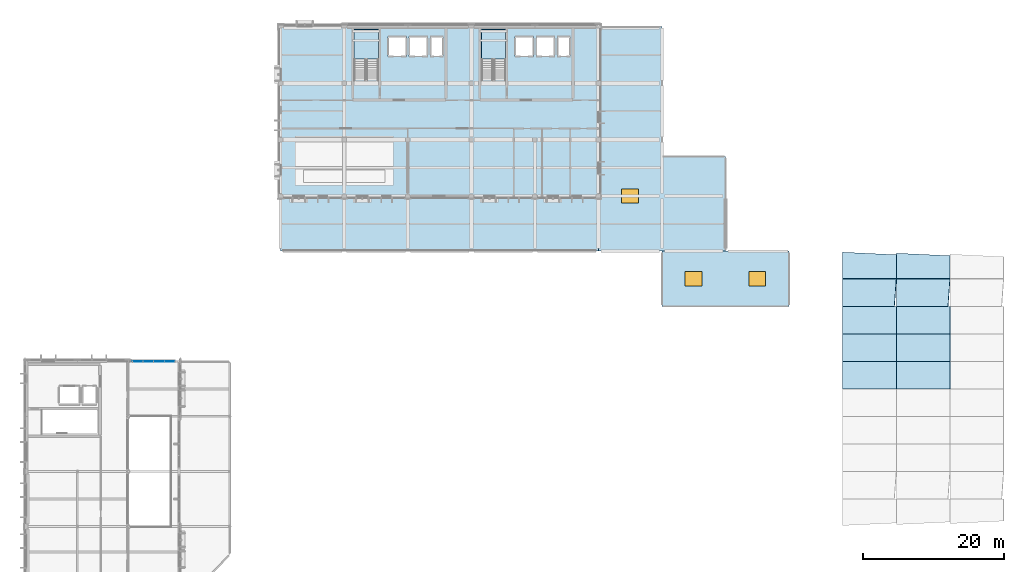
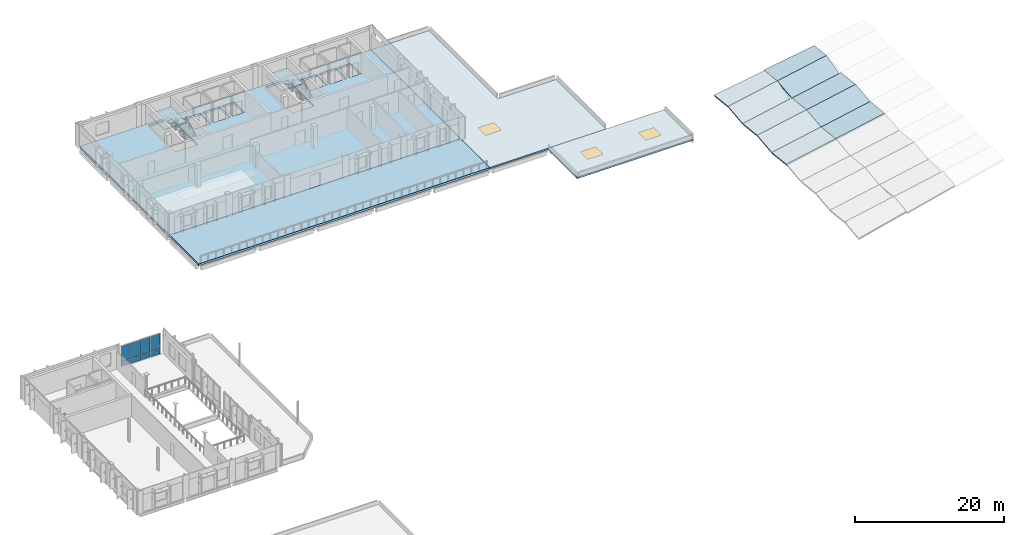
# One storey, part 8 of 23: 16 slabs, 8 plates, 3 windows, 3 openings, 3 elements without a shape of their own.
"""IFC4 building model written with IfcOpenShell, lengths in metres."""

from ifc_helpers import new_model, si_unit, direction, frame, origin, origin_2d, place, context, subcontext, project, spatial, polyline, rectangle, outline, extrude, material, layer, layer_set, type_object, element, fill, aggregate, save


model = new_model("IFC4")

# Units and contexts
model_context = context("Model", 3, precision=1e-05, world=origin(), true_north=direction((0.0, 1.0)))
body_context = subcontext(model_context, "Body", "Model", "MODEL_VIEW")
ifc_project = project(units=[si_unit("LENGTHUNIT", "METRE"), si_unit("AREAUNIT", "SQUARE_METRE"), si_unit("VOLUMEUNIT", "CUBIC_METRE"), si_unit("PLANEANGLEUNIT", "RADIAN"), si_unit("MASSUNIT", "GRAM", prefix="KILO")], contexts=[model_context])

# Site, building, storey
site_placement = place(None, origin())
site = spatial("IfcSite", under=ifc_project, at=site_placement, CompositionType="ELEMENT")
building_placement = place(site_placement, origin())
building = spatial("IfcBuilding", under=site, at=building_placement, Name="Vervanel Yard Central Library", CompositionType="ELEMENT")
storey_placement = place(building_placement, frame((0.0, 0.0, 16.52001953125)))
storey = spatial("IfcBuildingStorey", under=building, at=storey_placement, Name="L04", CompositionType="ELEMENT", Elevation=16.52001953125)

# Stair, slab
ifc_material_1 = material(Name="Concrete C40/50", Category="concrete")
stair_type_1 = type_object("IfcStairType", Name="Protected Core Dog-Leg Stair ST-01", PredefinedType="HALF_TURN_STAIR", material=ifc_material_1)
stair_1_placement = place(storey_placement, origin())
stair_1 = element("IfcStair", 1, at=stair_1_placement, inside=storey, type_object=stair_type_1, Name="L04 CORE-A Protected Exit Stair", PredefinedType="HALF_TURN_STAIR")
ifc_layer_1 = layer(ifc_material_1, 0.199951171875, Category="concrete")
ifc_layer_set_1 = layer_set([ifc_layer_1], Name="Concrete C40/50")
slab_type_1 = type_object("IfcSlabType", Name="Core Stair Concrete Landing Slab 200", PredefinedType="LANDING", material=ifc_layer_set_1)
slab_1_placement = place(storey_placement, frame((0.0, 0.0, 1.669921875)))
slab_1 = element("IfcSlab", 2, at=slab_1_placement, type_object=slab_type_1, Name="ST-01 landing 1", PredefinedType="LANDING", context=body_context, shape_type="SweptSolid", body=[
    extrude(outline(polyline([(49.85009765625, 109.39990234375), (49.85009765625, 113.60009765625), (46.389892578125, 113.60009765625), (46.389892578125, 109.39990234375), (49.85009765625, 109.39990234375)])), origin(), (0.0, 0.0, 1.0), 0.199951171875),
])
aggregate(stair_1, [slab_1])

stair_type_2 = type_object("IfcStairType", Name="Protected Core Dog-Leg Stair ST-02", PredefinedType="HALF_TURN_STAIR", material=ifc_material_1)
stair_2_placement = place(storey_placement, origin())
stair_2 = element("IfcStair", 3, at=stair_2_placement, inside=storey, type_object=stair_type_2, Name="L04 CORE-B Protected Exit Stair", PredefinedType="HALF_TURN_STAIR")
slab_2_placement = place(storey_placement, frame((0.0, 0.0, 1.669921875)))
slab_2 = element("IfcSlab", 4, at=slab_2_placement, type_object=slab_type_1, Name="ST-02 landing 1", PredefinedType="LANDING", context=body_context, shape_type="SweptSolid", body=[
    extrude(outline(polyline([(67.85009765625, 109.39990234375), (67.85009765625, 113.60009765625), (64.449951171875, 113.60009765625), (64.449951171875, 109.39990234375), (67.85009765625, 109.39990234375)])), origin(), (0.0, 0.0, 1.0), 0.199951171875),
])
aggregate(stair_2, [slab_2])

# Slab, opening, window
ifc_layer_2 = layer(ifc_material_1, 0.25, Category="concrete")
ifc_layer_set_2 = layer_set([ifc_layer_2], Name="Concrete C40/50")
slab_type_2 = type_object("IfcSlabType", Name="Flat Concrete Roof Slab 250", PredefinedType="ROOF", material=ifc_layer_set_2)
slab_3_placement = place(storey_placement, frame((0.0, 0.0, -0.25)))
slab_3 = element("IfcSlab", 5, at=slab_3_placement, inside=storey, type_object=slab_type_2, Name="L04 V1 Flat Concrete Roof Slab 250", PredefinedType="ROOF", context=body_context, shape_type="SweptSolid", body=[
    extrude(outline(polyline([(81.0, 82.199951171875), (99.0, 82.199951171875), (99.0, 95.60009765625), (90.0, 95.60009765625), (90.0, 114.0), (81.0, 114.0), (81.0, 82.199951171875)])), origin(), (0.0, 0.0, 1.0), 0.25),
])
opening_1_placement = place(slab_3_placement, frame((85.5, 90.0, 0.0)))
opening_1 = element("IfcOpeningElement", 6, at=opening_1_placement, cuts=slab_3, Name="Opening SK-04", PredefinedType="OPENING", context=body_context, shape_type="SweptSolid", body=[
    extrude(rectangle(XDim=2.39990234375, YDim=2.0, at=origin_2d()), frame((0.0, 0.0, -0.010009765625)), (0.0, 0.0, 1.0), 0.27001953125),
])
ifc_material_2 = material(Name="Double low-E laminated solar-control glass", Category="glass")
window_type = type_object("IfcWindowType", Name="Annex Daylight Skylight 2400x2000", PartitioningType="SINGLE_PANEL", PredefinedType="SKYLIGHT", material=ifc_material_2)
window_1_placement = place(opening_1_placement, frame((0.0, 0.0, 0.18994140625)))
window_1 = element("IfcWindow", 7, at=window_1_placement, inside=storey, type_object=window_type, Name="L04 Annex Daylight Skylight 2400x2000 10", OverallHeight=2.0, OverallWidth=2.39990234375, PartitioningType="SINGLE_PANEL", PredefinedType="SKYLIGHT", context=body_context, shape_type="SweptSolid", body=[
    extrude(rectangle(XDim=2.39990234375, YDim=2.0, at=origin_2d()), origin(), (0.0, 0.0, 1.0), 0.06005859375),
])
fill(opening_1, window_1)

# Slabs
ifc_material_3 = material(Name="Concrete C45/55", Category="concrete")
ifc_layer_3 = layer(ifc_material_3, 0.219970703125, Category="concrete")
ifc_layer_set_3 = layer_set([ifc_layer_3], Name="Concrete C45/55")
slab_type_3 = type_object("IfcSlabType", Name="Folded Shell Roof Typical Plate 220", PredefinedType="ROOF", material=ifc_layer_set_3)
slab_4_placement = place(storey_placement, frame((115.60009765625, 62.699951171875, 0.234375), z_axis=(-0.194586180504, 0.109285019231, 0.974778437866), x_axis=(0.980652097773, 0.0, 0.19575868597)))
element("IfcSlab", 8, at=slab_4_placement, inside=storey, type_object=slab_type_3, Name="L04 V3 Folded Shell Roof Typical Plate 220 V3-FS-B2-S06", PredefinedType="ROOF", context=body_context, shape_type="SweptSolid", body=[
    extrude(outline(polyline([(0.0, 0.0), (7.749795807178863, 0.0), (7.664199174714882, 3.9236473468765336), (-0.08559663246398108, 3.923647346876534), (0.0, 0.0)])), origin(), (0.0, 0.0, -1.0), 0.219970703125),
])
slab_5_placement = place(storey_placement, frame((115.60009765625, 66.60009765625, -0.202880859375), z_axis=(-0.194586035014, -0.109291778946, 0.974777709035), x_axis=(0.980652097773, 0.0, 0.19575868597)))
element("IfcSlab", 9, at=slab_5_placement, inside=storey, type_object=slab_type_3, Name="L04 V3 Folded Shell Roof Typical Plate 220 V3-FS-B2-S07", PredefinedType="ROOF", context=body_context, shape_type="SweptSolid", body=[
    extrude(outline(polyline([(0.0, 0.0), (7.749795807178863, 0.0), (7.835392439642844, 3.923404668633525), (0.08559663246398108, 3.9234046686335247), (0.0, 0.0)])), origin(), (0.0, 0.0, -1.0), 0.219970703125),
])
slab_6_placement = place(storey_placement, frame((115.60009765625, 70.5, 0.234375), z_axis=(-0.194586035014, 0.109291778946, 0.974777709035), x_axis=(0.980652097773, 0.0, 0.19575868597)))
element("IfcSlab", 10, at=slab_6_placement, inside=storey, type_object=slab_type_3, Name="L04 V3 Folded Shell Roof Typical Plate 220 V3-FS-B2-S08", PredefinedType="ROOF", context=body_context, shape_type="SweptSolid", body=[
    extrude(outline(polyline([(0.0, 0.0), (7.749795807178863, 0.0), (7.664199174714882, 3.9234046686335247), (-0.08559663246398108, 3.9234046686335247), (0.0, 0.0)])), origin(), (0.0, 0.0, -1.0), 0.219970703125),
])
slab_7_placement = place(storey_placement, frame((115.60009765625, 74.39990234375, -0.202880859375), z_axis=(-0.194585623575, -0.109286099487, 0.97477842793), x_axis=(0.980652206278, -6.175e-08, 0.195758142418)))
element("IfcSlab", 11, at=slab_7_placement, inside=storey, type_object=slab_type_3, Name="L04 V3 Folded Shell Roof Typical Plate 220 V3-FS-B2-S09", PredefinedType="ROOF", context=body_context, shape_type="SweptSolid", body=[
    extrude(outline(polyline([(0.0, 0.0), (7.464239973385155, -2.7755575615628914e-17), (7.835391961137711, 3.923648302435122), (0.08559615396005459, 3.9236473573130772), (0.0, 0.0)])), origin(), (0.0, 0.0, -1.0), 0.219970703125),
])
slab_8_placement = place(storey_placement, frame((115.60009765625, 78.300048828125, 0.234375), z_axis=(-0.194579094651, 0.109320349997, 0.974775890655), x_axis=(0.980653352852, -7.05129e-07, 0.195752398555)))
element("IfcSlab", 12, at=slab_8_placement, inside=storey, type_object=slab_type_3, Name="L04 V3 Folded Shell Roof Typical Plate 220 V3-FS-B2-S10", PredefinedType="ROOF", context=body_context, shape_type="SweptSolid", body=[
    extrude(outline(polyline([(0.0, 0.0), (7.749795807017652, 2.7755575615628914e-17), (7.67514369125324, 3.4204077302387943), (-0.08253790331983774, 3.782675443543832), (0.0, 0.0)])), origin(), (0.0, 0.0, -1.0), 0.219970703125),
])
slab_9_placement = place(storey_placement, frame((123.199951171875, 62.699951171875, 1.75146484375), z_axis=(-0.194564453709, 0.109315630166, 0.974779342392), x_axis=(0.98065629235, -1.678398e-06, 0.195737672081)))
element("IfcSlab", 13, at=slab_9_placement, inside=storey, type_object=slab_type_3, Name="L04 V3 Folded Shell Roof Typical Plate 220 V3-FS-B3-S06", PredefinedType="ROOF", context=body_context, shape_type="SweptSolid", body=[
    extrude(outline(polyline([(0.0, 0.0), (7.750035223428805, -5.551115123125783e-17), (7.664393445895312, 3.9236735747720624), (-0.08559399001589456, 3.9236474027178594), (0.0, 0.0)])), origin(), (0.0, 0.0, -1.0), 0.219970703125),
])
slab_10_placement = place(storey_placement, frame((123.199951171875, 66.60009765625, 1.314208984375), z_axis=(-0.194564308154, -0.109322391728, 0.974778613153), x_axis=(0.980656364614, -1.678511e-06, 0.195737310036)))
element("IfcSlab", 14, at=slab_10_placement, inside=storey, type_object=slab_type_3, Name="L04 V3 Folded Shell Roof Typical Plate 220 V3-FS-B3-S07", PredefinedType="ROOF", context=body_context, shape_type="SweptSolid", body=[
    extrude(outline(polyline([(0.0, 0.0), (7.749987435955398, -2.7755575615628914e-17), (7.8356159630672435, 3.9234311873629717), (0.08558073968263796, 3.9234050135285425), (0.0, 0.0)])), origin(), (0.0, 0.0, -1.0), 0.219970703125),
])
slab_11_placement = place(storey_placement, frame((123.199951171875, 70.5, 1.75146484375), z_axis=(-0.194564308154, 0.109322391728, 0.974778613153), x_axis=(0.980656292345, -1.678501e-06, 0.195737672103)))
element("IfcSlab", 15, at=slab_11_placement, inside=storey, type_object=slab_type_3, Name="L04 V3 Folded Shell Roof Typical Plate 220 V3-FS-B3-S08", PredefinedType="ROOF", context=body_context, shape_type="SweptSolid", body=[
    extrude(outline(polyline([(0.0, 0.0), (7.750035223428805, -2.7755575615628914e-17), (7.6643934458953105, 3.9234308981513446), (-0.08559399001589181, 3.9234047244783063), (0.0, 0.0)])), origin(), (0.0, 0.0, -1.0), 0.219970703125),
])
slab_12_placement = place(storey_placement, frame((123.199951171875, 74.39990234375, 1.314208984375), z_axis=(-0.194563484144, -0.109317510818, 0.97477932501), x_axis=(0.980656554868, -1.850177e-06, 0.195736356846)))
element("IfcSlab", 16, at=slab_12_placement, inside=storey, type_object=slab_type_3, Name="L04 V3 Folded Shell Roof Typical Plate 220 V3-FS-B3-S09", PredefinedType="ROOF", context=body_context, shape_type="SweptSolid", body=[
    extrude(outline(polyline([(0.0, 0.0), (7.464431602531366, 0.0), (7.835614876221801, 3.923676034406279), (0.08557965296094905, 3.9236477152235825), (0.0, 0.0)])), origin(), (0.0, 0.0, -1.0), 0.219970703125),
])
slab_13_placement = place(storey_placement, frame((123.199951171875, 78.300048828125, 1.75146484375), z_axis=(-0.194573802318, 0.109342164499, 0.974774500341), x_axis=(0.980654324163, -5.72745e-07, 0.195747532553)))
element("IfcSlab", 17, at=slab_13_placement, inside=storey, type_object=slab_type_3, Name="L04 V3 Folded Shell Roof Typical Plate 220 V3-FS-B3-S10", PredefinedType="ROOF", context=body_context, shape_type="SweptSolid", body=[
    extrude(outline(polyline([(0.0, 0.0), (7.750035224235962, 0.0), (7.678444049521932, 3.279678556706434), (-0.07947671843898192, 3.6417035962468316), (0.0, 0.0)])), origin(), (0.0, 0.0, -1.0), 0.219970703125),
])

# Curtain wall, plates
ifc_material_4 = material(Name="Thermally broken anodized aluminium 6063-T6", Category="aluminium")
curtain_wall_type = type_object("IfcCurtainWallType", Name="Atrium Courtyard Curtain Wall", PredefinedType="NOTDEFINED", material=ifc_material_4)
curtain_wall_placement = place(storey_placement, origin())
curtain_wall = element("IfcCurtainWall", 18, at=curtain_wall_placement, inside=storey, type_object=curtain_wall_type, Name="L04 Atrium Courtyard Curtain Wall CWR-L04-047", PredefinedType="NOTDEFINED")
ifc_material_5 = material(Name="Insulated bronze aluminium spandrel panel", Category="aluminium")
ifc_layer_4 = layer(ifc_material_5, 0.080078125, Category="aluminium")
ifc_layer_set_4 = layer_set([ifc_layer_4], Name="Insulated bronze aluminium spandrel panel")
plate_type_1 = type_object("IfcPlateType", Name="Insulated Bronze Spandrel Panel 80", PredefinedType="CURTAIN_PANEL", material=ifc_layer_set_4)
plate_1_placement = place(storey_placement, frame((15.744384765625, 66.60009765625, 0.06494140625), z_axis=(0.0, 0.0, 1.0), x_axis=(1.0, 0.0, 0.0)))
plate_1 = element("IfcPlate", 19, at=plate_1_placement, type_object=plate_type_1, Name="CWR-L04-047 Panel B1-1", PredefinedType="CURTAIN_PANEL", context=body_context, shape_type="SweptSolid", body=[
    extrude(rectangle(XDim=1.438720703125, YDim=0.080078125, at=origin_2d()), origin(), (0.0, 0.0, 1.0), 0.75244140625),
])
plate_2_placement = place(storey_placement, frame((17.248046875, 66.60009765625, 0.06494140625), z_axis=(0.0, 0.0, 1.0), x_axis=(1.0, 0.0, 0.0)))
plate_2 = element("IfcPlate", 20, at=plate_2_placement, type_object=plate_type_1, Name="CWR-L04-047 Panel B2-1", PredefinedType="CURTAIN_PANEL", context=body_context, shape_type="SweptSolid", body=[
    extrude(rectangle(XDim=1.438720703125, YDim=0.080078125, at=origin_2d()), origin(), (0.0, 0.0, 1.0), 0.75244140625),
])
plate_3_placement = place(storey_placement, frame((18.751953125, 66.60009765625, 0.06494140625), z_axis=(0.0, 0.0, 1.0), x_axis=(1.0, 0.0, 0.0)))
plate_3 = element("IfcPlate", 21, at=plate_3_placement, type_object=plate_type_1, Name="CWR-L04-047 Panel B3-1", PredefinedType="CURTAIN_PANEL", context=body_context, shape_type="SweptSolid", body=[
    extrude(rectangle(XDim=1.438720703125, YDim=0.080078125, at=origin_2d()), origin(), (0.0, 0.0, 1.0), 0.75244140625),
])
plate_4_placement = place(storey_placement, frame((20.255615234375, 66.60009765625, 0.06494140625), z_axis=(0.0, 0.0, 1.0), x_axis=(1.0, 0.0, 0.0)))
plate_4 = element("IfcPlate", 22, at=plate_4_placement, type_object=plate_type_1, Name="CWR-L04-047 Panel B4-1", PredefinedType="CURTAIN_PANEL", context=body_context, shape_type="SweptSolid", body=[
    extrude(rectangle(XDim=1.438720703125, YDim=0.080078125, at=origin_2d()), origin(), (0.0, 0.0, 1.0), 0.75244140625),
])

# Slabs
ifc_layer_5 = layer(ifc_material_1, 0.340087890625, Category="concrete")
ifc_layer_set_5 = layer_set([ifc_layer_5], Name="Concrete C40/50")
slab_type_4 = type_object("IfcSlabType", Name="Planted Roof Garden Terrace Slab 340", PredefinedType="FLOOR", material=ifc_layer_set_5)
slab_14_placement = place(storey_placement, frame((0.0, 0.0, -0.340087890625)))
element("IfcSlab", 23, at=slab_14_placement, inside=storey, type_object=slab_type_4, Name="L04 Scholars Court Overlook Roof Terrace", PredefinedType="FLOOR", context=body_context, shape_type="SweptSolid", body=[
    extrude(outline(polyline([(36.0, 82.199951171875), (81.0, 82.199951171875), (81.0, 90.0), (36.0, 90.0), (36.0, 82.199951171875)])), origin(), (0.0, 0.0, 1.0), 0.340087890625),
])
ifc_layer_6 = layer(ifc_material_3, 0.35009765625, Category="concrete")
ifc_layer_set_6 = layer_set([ifc_layer_6], Name="Concrete C45/55")
slab_type_5 = type_object("IfcSlabType", Name="Rare Books Vault Slab 350", PredefinedType="FLOOR", material=ifc_layer_set_6)
slab_15_placement = place(storey_placement, frame((0.0, 0.0, -0.35009765625)))
element("IfcSlab", 24, at=slab_15_placement, inside=storey, type_object=slab_type_5, Name="L04 V1 Rare Books Vault Slab 350", PredefinedType="FLOOR", context=body_context, shape_type="SweptSolid", body=[
    extrude(outline(polyline([(36.0, 90.0), (81.0, 90.0), (81.0, 114.0), (36.0, 114.0), (36.0, 90.0)]), holes=[polyline([(46.389892578125, 106.43505859375), (49.85009765625, 106.43505859375), (49.85009765625, 113.60009765625), (46.389892578125, 113.60009765625), (46.389892578125, 106.43505859375)]), polyline([(51.199951171875, 109.800048828125), (53.800048828125, 109.800048828125), (53.800048828125, 112.60009765625), (51.199951171875, 112.60009765625), (51.199951171875, 109.800048828125)]), polyline([(54.199951171875, 109.800048828125), (56.800048828125, 109.800048828125), (56.800048828125, 112.60009765625), (54.199951171875, 112.60009765625), (54.199951171875, 109.800048828125)]), polyline([(57.199951171875, 109.800048828125), (59.0, 109.800048828125), (59.0, 112.60009765625), (57.199951171875, 112.60009765625), (57.199951171875, 109.800048828125)]), polyline([(64.449951171875, 106.43505859375), (67.85009765625, 106.43505859375), (67.85009765625, 113.60009765625), (64.449951171875, 113.60009765625), (64.449951171875, 106.43505859375)]), polyline([(69.199951171875, 109.800048828125), (71.800048828125, 109.800048828125), (71.800048828125, 112.60009765625), (69.199951171875, 112.60009765625), (69.199951171875, 109.800048828125)]), polyline([(72.199951171875, 109.800048828125), (74.800048828125, 109.800048828125), (74.800048828125, 112.60009765625), (72.199951171875, 112.60009765625), (72.199951171875, 109.800048828125)]), polyline([(75.199951171875, 109.800048828125), (77.0, 109.800048828125), (77.0, 112.60009765625), (75.199951171875, 112.60009765625), (75.199951171875, 109.800048828125)])]), origin(), (0.0, 0.0, 1.0), 0.35009765625),
])

# Slab, openings, windows
ifc_layer_7 = layer(ifc_material_1, 0.260009765625, Category="concrete")
ifc_layer_set_7 = layer_set([ifc_layer_7], Name="Concrete C40/50")
slab_type_6 = type_object("IfcSlabType", Name="Reading Annex Roof Slab 260", PredefinedType="ROOF", material=ifc_layer_set_7)
slab_16_placement = place(storey_placement, frame((0.0, 0.0, -0.260009765625)))
slab_16 = element("IfcSlab", 25, at=slab_16_placement, inside=storey, type_object=slab_type_6, Name="L04 V3 Reading Annex Roof Slab 260", PredefinedType="ROOF", context=body_context, shape_type="SweptSolid", body=[
    extrude(outline(polyline([(90.0, 74.39990234375), (108.0, 74.39990234375), (108.0, 82.199951171875), (90.0, 82.199951171875), (90.0, 74.39990234375)])), origin(), (0.0, 0.0, 1.0), 0.260009765625),
])
opening_2_placement = place(slab_16_placement, frame((94.5, 78.300048828125, 0.0)))
opening_2 = element("IfcOpeningElement", 26, at=opening_2_placement, cuts=slab_16, Name="Opening SK-04", PredefinedType="OPENING", context=body_context, shape_type="SweptSolid", body=[
    extrude(rectangle(XDim=2.39990234375, YDim=2.0, at=origin_2d()), frame((0.0, 0.0, -0.010009765625)), (0.0, 0.0, 1.0), 0.280029296875),
])
opening_3_placement = place(slab_16_placement, frame((103.5, 78.300048828125, 0.0)))
opening_3 = element("IfcOpeningElement", 27, at=opening_3_placement, cuts=slab_16, Name="Opening SK-04", PredefinedType="OPENING", context=body_context, shape_type="SweptSolid", body=[
    extrude(rectangle(XDim=2.39990234375, YDim=2.0, at=origin_2d()), frame((0.0, 0.0, -0.010009765625)), (0.0, 0.0, 1.0), 0.280029296875),
])
window_2_placement = place(opening_2_placement, frame((0.0, 0.0, 0.199951171875)))
window_2 = element("IfcWindow", 28, at=window_2_placement, inside=storey, type_object=window_type, Name="L04 Annex Daylight Skylight 2400x2000 8", OverallHeight=2.0, OverallWidth=2.39990234375, PartitioningType="SINGLE_PANEL", PredefinedType="SKYLIGHT", context=body_context, shape_type="SweptSolid", body=[
    extrude(rectangle(XDim=2.39990234375, YDim=2.0, at=origin_2d()), origin(), (0.0, 0.0, 1.0), 0.06005859375),
])
fill(opening_2, window_2)
window_3_placement = place(opening_3_placement, frame((0.0, 0.0, 0.199951171875)))
window_3 = element("IfcWindow", 29, at=window_3_placement, inside=storey, type_object=window_type, Name="L04 Annex Daylight Skylight 2400x2000 9", OverallHeight=2.0, OverallWidth=2.39990234375, PartitioningType="SINGLE_PANEL", PredefinedType="SKYLIGHT", context=body_context, shape_type="SweptSolid", body=[
    extrude(rectangle(XDim=2.39990234375, YDim=2.0, at=origin_2d()), origin(), (0.0, 0.0, 1.0), 0.06005859375),
])
fill(opening_3, window_3)

# Plate
ifc_layer_8 = layer(ifc_material_2, 0.031982421875, Category="glass")
ifc_layer_set_8 = layer_set([ifc_layer_8], Name="Double low-E laminated solar-control glass")
plate_type_2 = type_object("IfcPlateType", Name="Vision Low-E Glazed Panel 32", PredefinedType="CURTAIN_PANEL", material=ifc_layer_set_8)
plate_5_placement = place(storey_placement, frame((15.744384765625, 66.60009765625, 0.88232421875), z_axis=(0.0, 0.0, 1.0), x_axis=(1.0, 0.0, 0.0)))
plate_5 = element("IfcPlate", 30, at=plate_5_placement, type_object=plate_type_2, Name="CWR-L04-047 Panel B1-2", PredefinedType="CURTAIN_PANEL", context=body_context, shape_type="SweptSolid", body=[
    extrude(rectangle(XDim=1.438720703125, YDim=0.031982421875, at=origin_2d()), origin(), (0.0, 0.0, 1.0), 2.492431640625),
])

plate_6_placement = place(storey_placement, frame((17.248046875, 66.60009765625, 0.88232421875), z_axis=(0.0, 0.0, 1.0), x_axis=(1.0, 0.0, 0.0)))
plate_6 = element("IfcPlate", 31, at=plate_6_placement, type_object=plate_type_2, Name="CWR-L04-047 Panel B2-2", PredefinedType="CURTAIN_PANEL", context=body_context, shape_type="SweptSolid", body=[
    extrude(rectangle(XDim=1.438720703125, YDim=0.031982421875, at=origin_2d()), origin(), (0.0, 0.0, 1.0), 2.492431640625),
])

plate_7_placement = place(storey_placement, frame((18.751953125, 66.60009765625, 0.88232421875), z_axis=(0.0, 0.0, 1.0), x_axis=(1.0, 0.0, 0.0)))
plate_7 = element("IfcPlate", 32, at=plate_7_placement, type_object=plate_type_2, Name="CWR-L04-047 Panel B3-2", PredefinedType="CURTAIN_PANEL", context=body_context, shape_type="SweptSolid", body=[
    extrude(rectangle(XDim=1.438720703125, YDim=0.031982421875, at=origin_2d()), origin(), (0.0, 0.0, 1.0), 2.492431640625),
])

plate_8_placement = place(storey_placement, frame((20.255615234375, 66.60009765625, 0.88232421875), z_axis=(0.0, 0.0, 1.0), x_axis=(1.0, 0.0, 0.0)))
plate_8 = element("IfcPlate", 33, at=plate_8_placement, type_object=plate_type_2, Name="CWR-L04-047 Panel B4-2", PredefinedType="CURTAIN_PANEL", context=body_context, shape_type="SweptSolid", body=[
    extrude(rectangle(XDim=1.438720703125, YDim=0.031982421875, at=origin_2d()), origin(), (0.0, 0.0, 1.0), 2.492431640625),
])

aggregate(curtain_wall, [plate_1, plate_5, plate_2, plate_6, plate_3, plate_7, plate_4, plate_8])

save(model, "model.ifc")
